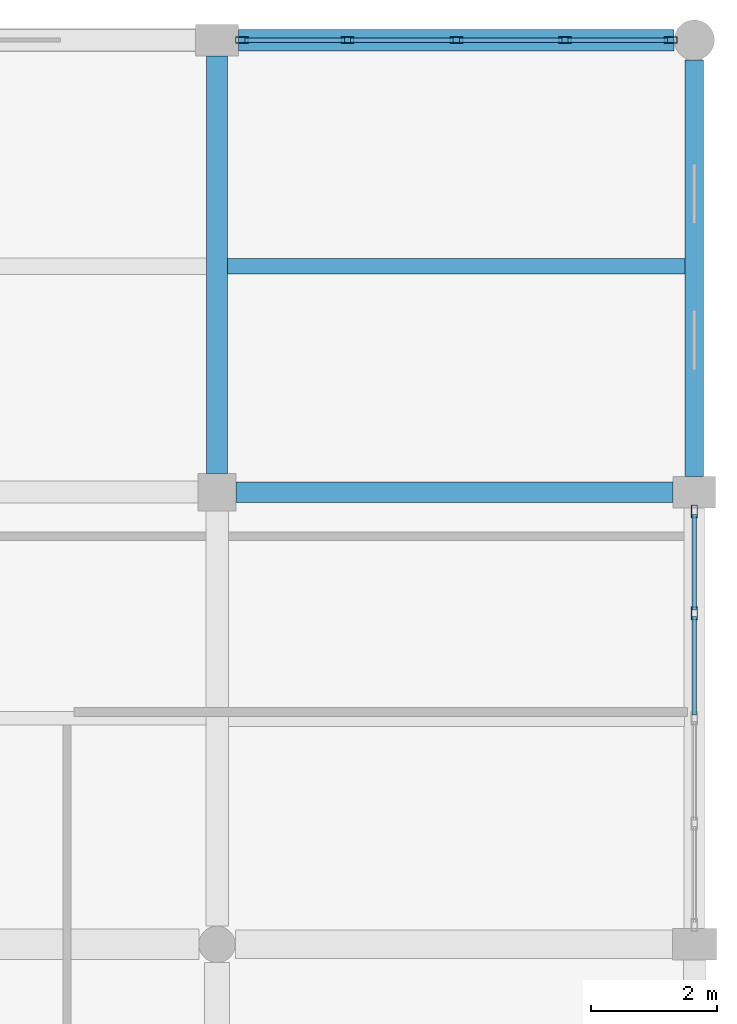
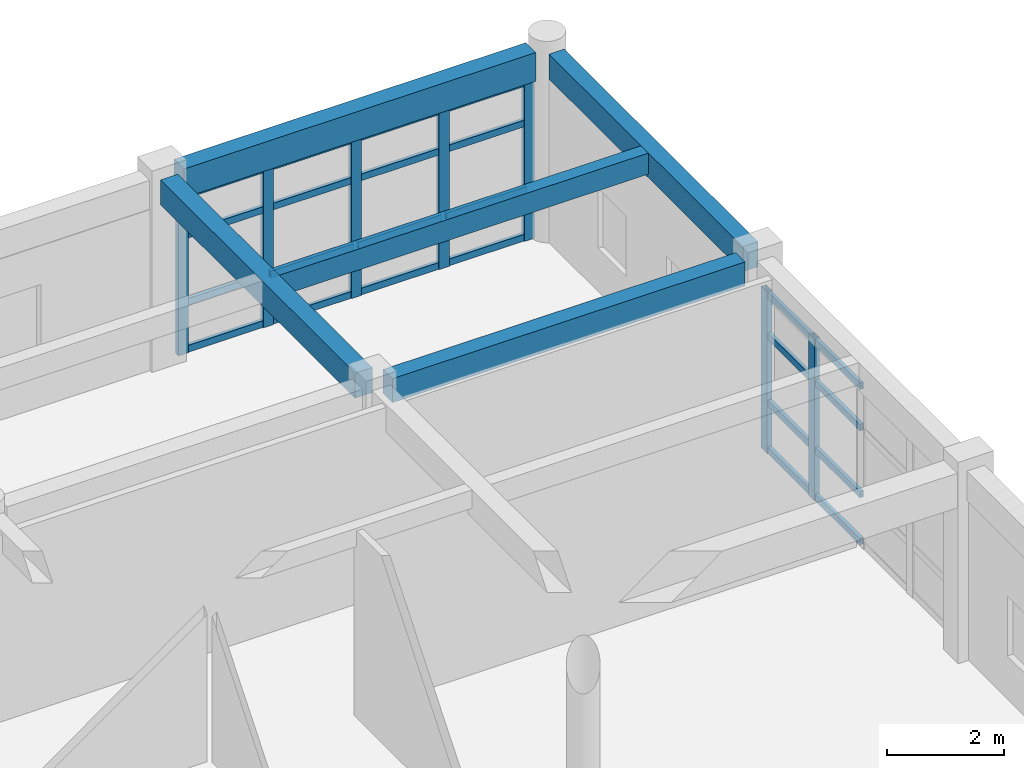
# One storey, part 89 of 121: 31 members, 5 beams, 2 elements without a shape of their own.
"""IFC4 building model written with IfcOpenShell, lengths in metres."""

from ifc_helpers import new_model, si_unit, direction, frame, origin, origin_2d, place, context, subcontext, project, spatial, rectangle, hollow_rectangle, extrude, material, material_profile, profile_set, type_object, element, aggregate, save


model = new_model("IFC4")

# Units and contexts
model_context = context("Model", 3, precision=1e-05, world=origin(), true_north=direction((0.0, 1.0)))
body_context = subcontext(model_context, "Body", "Model", "MODEL_VIEW")
ifc_project = project(units=[si_unit("LENGTHUNIT", "METRE"), si_unit("AREAUNIT", "SQUARE_METRE"), si_unit("VOLUMEUNIT", "CUBIC_METRE"), si_unit("PLANEANGLEUNIT", "RADIAN"), si_unit("MASSUNIT", "GRAM", prefix="KILO")], contexts=[model_context])

# Site, building, storey
site_placement = place(None, origin())
site = spatial("IfcSite", under=ifc_project, at=site_placement, CompositionType="ELEMENT")
building_placement = place(site_placement, origin())
building = spatial("IfcBuilding", under=site, at=building_placement, Name="Kharva Crest Polytechnic", CompositionType="ELEMENT")
storey_placement = place(building_placement, frame((0.0, 0.0, 13.199951171875)))
storey = spatial("IfcBuildingStorey", under=building, at=storey_placement, Name="L03", CompositionType="ELEMENT", Elevation=13.199951171875)

# Beams
ifc_material_1 = material(Name="Concrete C35/45", Category="concrete")
ifc_material_profile_1 = material_profile(ifc_material_1, rectangle(XDim=0.320068359375, YDim=0.5, at=origin_2d()), Name="RECT 320 X 500")
ifc_profile_set_1 = profile_set([ifc_material_profile_1], Name="Concrete C35/45")
beam_type_1 = type_object("IfcBeamType", Name="BM-RC-320X500", PredefinedType="BEAM", material=ifc_profile_set_1)
beam_1_placement = place(storey_placement, frame((176.699951171875, 114.800048828125, 3.7099609375), z_axis=(1.0, 0.0, 0.0), x_axis=(0.0, 1.0, 0.0)))
element("IfcBeam", 1, at=beam_1_placement, inside=storey, type_object=beam_type_1, Name="L03 Beam R/23-24", PredefinedType="BEAM", context=body_context, shape_type="SweptSolid", body=[
    extrude(rectangle(XDim=0.320068359375, YDim=0.5, at=origin_2d()), origin(), (0.0, 0.0, 1.0), 6.9599609375),
])
ifc_material_profile_2 = material_profile(ifc_material_1, rectangle(XDim=0.340087890625, YDim=0.52001953125, at=origin_2d()), Name="RECT 340 X 520")
ifc_profile_set_2 = profile_set([ifc_material_profile_2], Name="Concrete C35/45")
beam_type_2 = type_object("IfcBeamType", Name="BM-RC-340X520", PredefinedType="BEAM", material=ifc_profile_set_2)
beam_2_placement = place(storey_placement, frame((176.39990234375, 115.10009765625, 3.699951171875), z_axis=(0.0, 1.0, 0.0), x_axis=(-1.0, 0.0, 0.0)))
element("IfcBeam", 2, at=beam_2_placement, inside=storey, type_object=beam_type_2, Name="L03 Girder 23/R-S", PredefinedType="BEAM", context=body_context, shape_type="SweptSolid", body=[
    extrude(rectangle(XDim=0.340087890625, YDim=0.52001953125, at=origin_2d()), origin(), (0.0, 0.0, 1.0), 6.64990234375),
])

# Curtain wall, members
ifc_material_2 = material(Name="Tempered insulated glass", Category="glass")
curtain_wall_type = type_object("IfcCurtainWallType", Name="CW-SYS-LIBRARY", PredefinedType="USERDEFINED", material=ifc_material_2)
curtain_wall_1_placement = place(storey_placement, origin())
curtain_wall_1 = element("IfcCurtainWall", 3, at=curtain_wall_1_placement, inside=storey, type_object=curtain_wall_type, Name="L03 Glazed Curtain Wall CW-153", ObjectType="CURTAIN WALL", PredefinedType="USERDEFINED")
ifc_material_3 = material(Name="Steel S355", Category="steel")
ifc_material_profile_3 = material_profile(ifc_material_3, hollow_rectangle(XDim=0.10009765625, YDim=0.199951171875, WallThickness=0.00634765625, at=origin_2d()), Name="RHS 200X100X6.3")
ifc_profile_set_3 = profile_set([ifc_material_profile_3], Name="Steel S355")
member_type_1 = type_object("IfcMemberType", Name="CWM-RHS200X100", PredefinedType="MULLION", material=ifc_profile_set_3)
member_1_placement = place(storey_placement, frame((184.0, 112.87255859375, 0.0), z_axis=(0.0, 0.0, 1.0), x_axis=(-1.0, 0.0, 0.0)))
member_1 = element("IfcMember", 4, at=member_1_placement, type_object=member_type_1, Name="CW-153 mullion 4", PredefinedType="MULLION", context=body_context, shape_type="SweptSolid", body=[
    extrude(hollow_rectangle(XDim=0.10009765625, YDim=0.199951171875, WallThickness=0.00634765625, at=origin_2d()), origin(), (0.0, 0.0, 1.0), 3.380126953125),
])
member_2_placement = place(storey_placement, frame((184.0, 114.4951171875, 0.0), z_axis=(0.0, 0.0, 1.0), x_axis=(-1.0, 0.0, 0.0)))
member_2 = element("IfcMember", 5, at=member_2_placement, type_object=member_type_1, Name="CW-153 mullion 5", PredefinedType="MULLION", context=body_context, shape_type="SweptSolid", body=[
    extrude(hollow_rectangle(XDim=0.10009765625, YDim=0.199951171875, WallThickness=0.00634765625, at=origin_2d()), origin(), (0.0, 0.0, 1.0), 3.380126953125),
])

curtain_wall_2_placement = place(storey_placement, origin())
curtain_wall_2 = element("IfcCurtainWall", 6, at=curtain_wall_2_placement, inside=storey, type_object=curtain_wall_type, Name="L03 Glazed Curtain Wall CW-154", ObjectType="CURTAIN WALL", PredefinedType="USERDEFINED")
member_3_placement = place(storey_placement, frame((183.625, 122.0, 0.0), z_axis=(0.0, 0.0, 1.0), x_axis=(0.0, -1.0, 0.0)))
member_3 = element("IfcMember", 7, at=member_3_placement, type_object=member_type_1, Name="CW-154 mullion 1", PredefinedType="MULLION", context=body_context, shape_type="SweptSolid", body=[
    extrude(hollow_rectangle(XDim=0.10009765625, YDim=0.199951171875, WallThickness=0.00634765625, at=origin_2d()), origin(), (0.0, 0.0, 1.0), 3.360107421875),
])
member_4_placement = place(storey_placement, frame((181.9423828125, 122.0, 0.0), z_axis=(0.0, 0.0, 1.0), x_axis=(0.0, -1.0, 0.0)))
member_4 = element("IfcMember", 8, at=member_4_placement, type_object=member_type_1, Name="CW-154 mullion 2", PredefinedType="MULLION", context=body_context, shape_type="SweptSolid", body=[
    extrude(hollow_rectangle(XDim=0.10009765625, YDim=0.199951171875, WallThickness=0.00634765625, at=origin_2d()), origin(), (0.0, 0.0, 1.0), 3.360107421875),
])
member_5_placement = place(storey_placement, frame((180.2099609375, 122.0, 0.0), z_axis=(0.0, 0.0, 1.0), x_axis=(0.0, -1.0, 0.0)))
member_5 = element("IfcMember", 9, at=member_5_placement, type_object=member_type_1, Name="CW-154 mullion 3", PredefinedType="MULLION", context=body_context, shape_type="SweptSolid", body=[
    extrude(hollow_rectangle(XDim=0.10009765625, YDim=0.199951171875, WallThickness=0.00634765625, at=origin_2d()), origin(), (0.0, 0.0, 1.0), 3.360107421875),
])
member_6_placement = place(storey_placement, frame((178.4775390625, 122.0, 0.0), z_axis=(0.0, 0.0, 1.0), x_axis=(0.0, -1.0, 0.0)))
member_6 = element("IfcMember", 10, at=member_6_placement, type_object=member_type_1, Name="CW-154 mullion 4", PredefinedType="MULLION", context=body_context, shape_type="SweptSolid", body=[
    extrude(hollow_rectangle(XDim=0.10009765625, YDim=0.199951171875, WallThickness=0.00634765625, at=origin_2d()), origin(), (0.0, 0.0, 1.0), 3.360107421875),
])
member_7_placement = place(storey_placement, frame((176.794921875, 122.0, 0.0), z_axis=(0.0, 0.0, 1.0), x_axis=(0.0, -1.0, 0.0)))
member_7 = element("IfcMember", 11, at=member_7_placement, type_object=member_type_1, Name="CW-154 mullion 5", PredefinedType="MULLION", context=body_context, shape_type="SweptSolid", body=[
    extrude(hollow_rectangle(XDim=0.10009765625, YDim=0.199951171875, WallThickness=0.00634765625, at=origin_2d()), origin(), (0.0, 0.0, 1.0), 3.360107421875),
])

# Member
ifc_material_profile_4 = material_profile(ifc_material_3, hollow_rectangle(XDim=0.070068359375, YDim=0.139892578125, WallThickness=0.00390625, at=origin_2d()), Name="RHS 140X70X4.0")
ifc_profile_set_4 = profile_set([ifc_material_profile_4], Name="Steel S355")
member_type_2 = type_object("IfcMemberType", Name="CWT-RHS140X70", PredefinedType="USERDEFINED", material=ifc_profile_set_4)
member_8_placement = place(storey_placement, frame((184.0, 111.25, 0.070068359375), z_axis=(0.0, 1.0, 0.0), x_axis=(-1.0, 0.0, 0.0)))
member_8 = element("IfcMember", 12, at=member_8_placement, type_object=member_type_2, Name="CW-153 transom 3.1", ObjectType="TRANSOM", PredefinedType="USERDEFINED", context=body_context, shape_type="SweptSolid", body=[
    extrude(hollow_rectangle(XDim=0.070068359375, YDim=0.139892578125, WallThickness=0.00390625, at=origin_2d()), origin(), (0.0, 0.0, 1.0), 1.572509765625),
])

member_9_placement = place(storey_placement, frame((184.0, 111.25, 1.050048828125), z_axis=(0.0, 1.0, 0.0), x_axis=(-1.0, 0.0, 0.0)))
member_9 = element("IfcMember", 13, at=member_9_placement, type_object=member_type_2, Name="CW-153 transom 3.2", ObjectType="TRANSOM", PredefinedType="USERDEFINED", context=body_context, shape_type="SweptSolid", body=[
    extrude(hollow_rectangle(XDim=0.070068359375, YDim=0.139892578125, WallThickness=0.00390625, at=origin_2d()), origin(), (0.0, 0.0, 1.0), 1.572509765625),
])

member_10_placement = place(storey_placement, frame((184.0, 111.25, 2.449951171875), z_axis=(0.0, 1.0, 0.0), x_axis=(-1.0, 0.0, 0.0)))
member_10 = element("IfcMember", 14, at=member_10_placement, type_object=member_type_2, Name="CW-153 transom 3.3", ObjectType="TRANSOM", PredefinedType="USERDEFINED", context=body_context, shape_type="SweptSolid", body=[
    extrude(hollow_rectangle(XDim=0.070068359375, YDim=0.139892578125, WallThickness=0.00390625, at=origin_2d()), origin(), (0.0, 0.0, 1.0), 1.572509765625),
])

member_11_placement = place(storey_placement, frame((184.0, 111.25, 3.31005859375), z_axis=(0.0, 1.0, 0.0), x_axis=(-1.0, 0.0, 0.0)))
member_11 = element("IfcMember", 15, at=member_11_placement, type_object=member_type_2, Name="CW-153 transom 3.4", ObjectType="TRANSOM", PredefinedType="USERDEFINED", context=body_context, shape_type="SweptSolid", body=[
    extrude(hollow_rectangle(XDim=0.070068359375, YDim=0.139892578125, WallThickness=0.00390625, at=origin_2d()), origin(), (0.0, 0.0, 1.0), 1.572509765625),
])

member_12_placement = place(storey_placement, frame((184.0, 112.922607421875, 0.070068359375), z_axis=(0.0, 1.0, 0.0), x_axis=(-1.0, 0.0, 0.0)))
member_12 = element("IfcMember", 16, at=member_12_placement, type_object=member_type_2, Name="CW-153 transom 4.1", ObjectType="TRANSOM", PredefinedType="USERDEFINED", context=body_context, shape_type="SweptSolid", body=[
    extrude(hollow_rectangle(XDim=0.070068359375, YDim=0.139892578125, WallThickness=0.00390625, at=origin_2d()), origin(), (0.0, 0.0, 1.0), 1.5224609375),
])

member_13_placement = place(storey_placement, frame((184.0, 112.922607421875, 1.050048828125), z_axis=(0.0, 1.0, 0.0), x_axis=(-1.0, 0.0, 0.0)))
member_13 = element("IfcMember", 17, at=member_13_placement, type_object=member_type_2, Name="CW-153 transom 4.2", ObjectType="TRANSOM", PredefinedType="USERDEFINED", context=body_context, shape_type="SweptSolid", body=[
    extrude(hollow_rectangle(XDim=0.070068359375, YDim=0.139892578125, WallThickness=0.00390625, at=origin_2d()), origin(), (0.0, 0.0, 1.0), 1.5224609375),
])

member_14_placement = place(storey_placement, frame((184.0, 112.922607421875, 2.449951171875), z_axis=(0.0, 1.0, 0.0), x_axis=(-1.0, 0.0, 0.0)))
member_14 = element("IfcMember", 18, at=member_14_placement, type_object=member_type_2, Name="CW-153 transom 4.3", ObjectType="TRANSOM", PredefinedType="USERDEFINED", context=body_context, shape_type="SweptSolid", body=[
    extrude(hollow_rectangle(XDim=0.070068359375, YDim=0.139892578125, WallThickness=0.00390625, at=origin_2d()), origin(), (0.0, 0.0, 1.0), 1.5224609375),
])

member_15_placement = place(storey_placement, frame((184.0, 112.922607421875, 3.31005859375), z_axis=(0.0, 1.0, 0.0), x_axis=(-1.0, 0.0, 0.0)))
member_15 = element("IfcMember", 19, at=member_15_placement, type_object=member_type_2, Name="CW-153 transom 4.4", ObjectType="TRANSOM", PredefinedType="USERDEFINED", context=body_context, shape_type="SweptSolid", body=[
    extrude(hollow_rectangle(XDim=0.070068359375, YDim=0.139892578125, WallThickness=0.00390625, at=origin_2d()), origin(), (0.0, 0.0, 1.0), 1.5224609375),
])

aggregate(curtain_wall_1, [member_1, member_2, member_8, member_9, member_10, member_11, member_12, member_13, member_14, member_15])

member_16_placement = place(storey_placement, frame((183.574951171875, 122.0, 0.070068359375), z_axis=(-1.0, 0.0, 0.0), x_axis=(0.0, -1.0, 0.0)))
member_16 = element("IfcMember", 20, at=member_16_placement, type_object=member_type_2, Name="CW-154 transom 1.1", ObjectType="TRANSOM", PredefinedType="USERDEFINED", context=body_context, shape_type="SweptSolid", body=[
    extrude(hollow_rectangle(XDim=0.070068359375, YDim=0.139892578125, WallThickness=0.00390625, at=origin_2d()), origin(), (0.0, 0.0, 1.0), 1.58251953125),
])

member_17_placement = place(storey_placement, frame((183.574951171875, 122.0, 1.050048828125), z_axis=(-1.0, 0.0, 0.0), x_axis=(0.0, -1.0, 0.0)))
member_17 = element("IfcMember", 21, at=member_17_placement, type_object=member_type_2, Name="CW-154 transom 1.2", ObjectType="TRANSOM", PredefinedType="USERDEFINED", context=body_context, shape_type="SweptSolid", body=[
    extrude(hollow_rectangle(XDim=0.070068359375, YDim=0.139892578125, WallThickness=0.00390625, at=origin_2d()), origin(), (0.0, 0.0, 1.0), 1.58251953125),
])

member_18_placement = place(storey_placement, frame((183.574951171875, 122.0, 2.449951171875), z_axis=(-1.0, 0.0, 0.0), x_axis=(0.0, -1.0, 0.0)))
member_18 = element("IfcMember", 22, at=member_18_placement, type_object=member_type_2, Name="CW-154 transom 1.3", ObjectType="TRANSOM", PredefinedType="USERDEFINED", context=body_context, shape_type="SweptSolid", body=[
    extrude(hollow_rectangle(XDim=0.070068359375, YDim=0.139892578125, WallThickness=0.00390625, at=origin_2d()), origin(), (0.0, 0.0, 1.0), 1.58251953125),
])

member_19_placement = place(storey_placement, frame((183.574951171875, 122.0, 3.2900390625), z_axis=(-1.0, 0.0, 0.0), x_axis=(0.0, -1.0, 0.0)))
member_19 = element("IfcMember", 23, at=member_19_placement, type_object=member_type_2, Name="CW-154 transom 1.4", ObjectType="TRANSOM", PredefinedType="USERDEFINED", context=body_context, shape_type="SweptSolid", body=[
    extrude(hollow_rectangle(XDim=0.070068359375, YDim=0.139892578125, WallThickness=0.00390625, at=origin_2d()), origin(), (0.0, 0.0, 1.0), 1.58251953125),
])

member_20_placement = place(storey_placement, frame((181.892578125, 122.0, 0.070068359375), z_axis=(-1.0, 0.0, 0.0), x_axis=(0.0, -1.0, 0.0)))
member_20 = element("IfcMember", 24, at=member_20_placement, type_object=member_type_2, Name="CW-154 transom 2.1", ObjectType="TRANSOM", PredefinedType="USERDEFINED", context=body_context, shape_type="SweptSolid", body=[
    extrude(hollow_rectangle(XDim=0.070068359375, YDim=0.139892578125, WallThickness=0.00390625, at=origin_2d()), origin(), (0.0, 0.0, 1.0), 1.632568359375),
])

member_21_placement = place(storey_placement, frame((181.892578125, 122.0, 1.050048828125), z_axis=(-1.0, 0.0, 0.0), x_axis=(0.0, -1.0, 0.0)))
member_21 = element("IfcMember", 25, at=member_21_placement, type_object=member_type_2, Name="CW-154 transom 2.2", ObjectType="TRANSOM", PredefinedType="USERDEFINED", context=body_context, shape_type="SweptSolid", body=[
    extrude(hollow_rectangle(XDim=0.070068359375, YDim=0.139892578125, WallThickness=0.00390625, at=origin_2d()), origin(), (0.0, 0.0, 1.0), 1.632568359375),
])

member_22_placement = place(storey_placement, frame((181.892578125, 122.0, 2.449951171875), z_axis=(-1.0, 0.0, 0.0), x_axis=(0.0, -1.0, 0.0)))
member_22 = element("IfcMember", 26, at=member_22_placement, type_object=member_type_2, Name="CW-154 transom 2.3", ObjectType="TRANSOM", PredefinedType="USERDEFINED", context=body_context, shape_type="SweptSolid", body=[
    extrude(hollow_rectangle(XDim=0.070068359375, YDim=0.139892578125, WallThickness=0.00390625, at=origin_2d()), origin(), (0.0, 0.0, 1.0), 1.632568359375),
])

member_23_placement = place(storey_placement, frame((181.892578125, 122.0, 3.2900390625), z_axis=(-1.0, 0.0, 0.0), x_axis=(0.0, -1.0, 0.0)))
member_23 = element("IfcMember", 27, at=member_23_placement, type_object=member_type_2, Name="CW-154 transom 2.4", ObjectType="TRANSOM", PredefinedType="USERDEFINED", context=body_context, shape_type="SweptSolid", body=[
    extrude(hollow_rectangle(XDim=0.070068359375, YDim=0.139892578125, WallThickness=0.00390625, at=origin_2d()), origin(), (0.0, 0.0, 1.0), 1.632568359375),
])

member_24_placement = place(storey_placement, frame((180.159912109375, 122.0, 0.070068359375), z_axis=(-1.0, 0.0, 0.0), x_axis=(0.0, -1.0, 0.0)))
member_24 = element("IfcMember", 28, at=member_24_placement, type_object=member_type_2, Name="CW-154 transom 3.1", ObjectType="TRANSOM", PredefinedType="USERDEFINED", context=body_context, shape_type="SweptSolid", body=[
    extrude(hollow_rectangle(XDim=0.070068359375, YDim=0.139892578125, WallThickness=0.00390625, at=origin_2d()), origin(), (0.0, 0.0, 1.0), 1.63232421875),
])

member_25_placement = place(storey_placement, frame((180.159912109375, 122.0, 1.050048828125), z_axis=(-1.0, 0.0, 0.0), x_axis=(0.0, -1.0, 0.0)))
member_25 = element("IfcMember", 29, at=member_25_placement, type_object=member_type_2, Name="CW-154 transom 3.2", ObjectType="TRANSOM", PredefinedType="USERDEFINED", context=body_context, shape_type="SweptSolid", body=[
    extrude(hollow_rectangle(XDim=0.070068359375, YDim=0.139892578125, WallThickness=0.00390625, at=origin_2d()), origin(), (0.0, 0.0, 1.0), 1.63232421875),
])

member_26_placement = place(storey_placement, frame((180.159912109375, 122.0, 2.449951171875), z_axis=(-1.0, 0.0, 0.0), x_axis=(0.0, -1.0, 0.0)))
member_26 = element("IfcMember", 30, at=member_26_placement, type_object=member_type_2, Name="CW-154 transom 3.3", ObjectType="TRANSOM", PredefinedType="USERDEFINED", context=body_context, shape_type="SweptSolid", body=[
    extrude(hollow_rectangle(XDim=0.070068359375, YDim=0.139892578125, WallThickness=0.00390625, at=origin_2d()), origin(), (0.0, 0.0, 1.0), 1.63232421875),
])

member_27_placement = place(storey_placement, frame((180.159912109375, 122.0, 3.2900390625), z_axis=(-1.0, 0.0, 0.0), x_axis=(0.0, -1.0, 0.0)))
member_27 = element("IfcMember", 31, at=member_27_placement, type_object=member_type_2, Name="CW-154 transom 3.4", ObjectType="TRANSOM", PredefinedType="USERDEFINED", context=body_context, shape_type="SweptSolid", body=[
    extrude(hollow_rectangle(XDim=0.070068359375, YDim=0.139892578125, WallThickness=0.00390625, at=origin_2d()), origin(), (0.0, 0.0, 1.0), 1.63232421875),
])

member_28_placement = place(storey_placement, frame((178.427490234375, 122.0, 0.070068359375), z_axis=(-1.0, 0.0, 0.0), x_axis=(0.0, -1.0, 0.0)))
member_28 = element("IfcMember", 32, at=member_28_placement, type_object=member_type_2, Name="CW-154 transom 4.1", ObjectType="TRANSOM", PredefinedType="USERDEFINED", context=body_context, shape_type="SweptSolid", body=[
    extrude(hollow_rectangle(XDim=0.070068359375, YDim=0.139892578125, WallThickness=0.00390625, at=origin_2d()), origin(), (0.0, 0.0, 1.0), 1.58251953125),
])

member_29_placement = place(storey_placement, frame((178.427490234375, 122.0, 1.050048828125), z_axis=(-1.0, 0.0, 0.0), x_axis=(0.0, -1.0, 0.0)))
member_29 = element("IfcMember", 33, at=member_29_placement, type_object=member_type_2, Name="CW-154 transom 4.2", ObjectType="TRANSOM", PredefinedType="USERDEFINED", context=body_context, shape_type="SweptSolid", body=[
    extrude(hollow_rectangle(XDim=0.070068359375, YDim=0.139892578125, WallThickness=0.00390625, at=origin_2d()), origin(), (0.0, 0.0, 1.0), 1.58251953125),
])

member_30_placement = place(storey_placement, frame((178.427490234375, 122.0, 2.449951171875), z_axis=(-1.0, 0.0, 0.0), x_axis=(0.0, -1.0, 0.0)))
member_30 = element("IfcMember", 34, at=member_30_placement, type_object=member_type_2, Name="CW-154 transom 4.3", ObjectType="TRANSOM", PredefinedType="USERDEFINED", context=body_context, shape_type="SweptSolid", body=[
    extrude(hollow_rectangle(XDim=0.070068359375, YDim=0.139892578125, WallThickness=0.00390625, at=origin_2d()), origin(), (0.0, 0.0, 1.0), 1.58251953125),
])

member_31_placement = place(storey_placement, frame((178.427490234375, 122.0, 3.2900390625), z_axis=(-1.0, 0.0, 0.0), x_axis=(0.0, -1.0, 0.0)))
member_31 = element("IfcMember", 35, at=member_31_placement, type_object=member_type_2, Name="CW-154 transom 4.4", ObjectType="TRANSOM", PredefinedType="USERDEFINED", context=body_context, shape_type="SweptSolid", body=[
    extrude(hollow_rectangle(XDim=0.070068359375, YDim=0.139892578125, WallThickness=0.00390625, at=origin_2d()), origin(), (0.0, 0.0, 1.0), 1.58251953125),
])

aggregate(curtain_wall_2, [member_3, member_4, member_5, member_6, member_7, member_16, member_17, member_18, member_19, member_20, member_21, member_22, member_23, member_24, member_25, member_26, member_27, member_28, member_29, member_30, member_31])

# Beams
ifc_material_profile_5 = material_profile(ifc_material_1, rectangle(XDim=0.25, YDim=0.43994140625, at=origin_2d()), Name="RECT 250 X 440")
ifc_profile_set_5 = profile_set([ifc_material_profile_5], Name="Concrete C35/45")
beam_type_3 = type_object("IfcBeamType", Name="JS-RC-250X440", PredefinedType="JOIST", material=ifc_profile_set_5)
beam_3_placement = place(storey_placement, frame((176.570068359375, 118.39990234375, 3.739990234375), z_axis=(1.0, 0.0, 0.0), x_axis=(0.0, 1.0, 0.0)))
element("IfcBeam", 36, at=beam_3_placement, inside=storey, type_object=beam_type_3, Name="L03 Floor Joist 61", PredefinedType="JOIST", context=body_context, shape_type="SweptSolid", body=[
    extrude(rectangle(XDim=0.25, YDim=0.43994140625, at=origin_2d()), origin(), (0.0, 0.0, 1.0), 7.280029296875),
])
ifc_material_profile_6 = material_profile(ifc_material_1, rectangle(XDim=0.300048828125, YDim=0.52001953125, at=origin_2d()), Name="RECT 300 X 520")
ifc_profile_set_6 = profile_set([ifc_material_profile_6], Name="Concrete C35/45")
beam_type_4 = type_object("IfcBeamType", Name="SP-RC-300X520", PredefinedType="SPANDREL", material=ifc_profile_set_6)
beam_4_placement = place(storey_placement, frame((184.0, 115.050048828125, 3.699951171875), z_axis=(0.0, 1.0, 0.0), x_axis=(-1.0, 0.0, 0.0)))
element("IfcBeam", 37, at=beam_4_placement, inside=storey, type_object=beam_type_4, Name="L03 Girder 24/R-S", PredefinedType="SPANDREL", context=body_context, shape_type="SweptSolid", body=[
    extrude(rectangle(XDim=0.300048828125, YDim=0.52001953125, at=origin_2d()), origin(), (0.0, 0.0, 1.0), 6.6298828125),
])
ifc_material_profile_7 = material_profile(ifc_material_1, rectangle(XDim=0.340087890625, YDim=0.60009765625, at=origin_2d()), Name="RECT 340 X 600")
ifc_profile_set_7 = profile_set([ifc_material_profile_7], Name="Concrete C35/45")
beam_type_5 = type_object("IfcBeamType", Name="SP-RC-340X600", PredefinedType="SPANDREL", material=ifc_profile_set_7)
beam_5_placement = place(storey_placement, frame((176.739990234375, 122.0, 3.66015625), z_axis=(1.0, 0.0, 0.0), x_axis=(0.0, 1.0, 0.0)))
element("IfcBeam", 38, at=beam_5_placement, inside=storey, type_object=beam_type_5, Name="L03 Beam S/23-24", PredefinedType="SPANDREL", context=body_context, shape_type="SweptSolid", body=[
    extrude(rectangle(XDim=0.340087890625, YDim=0.60009765625, at=origin_2d()), origin(), (0.0, 0.0, 1.0), 6.93994140625),
])

save(model, "model.ifc")
